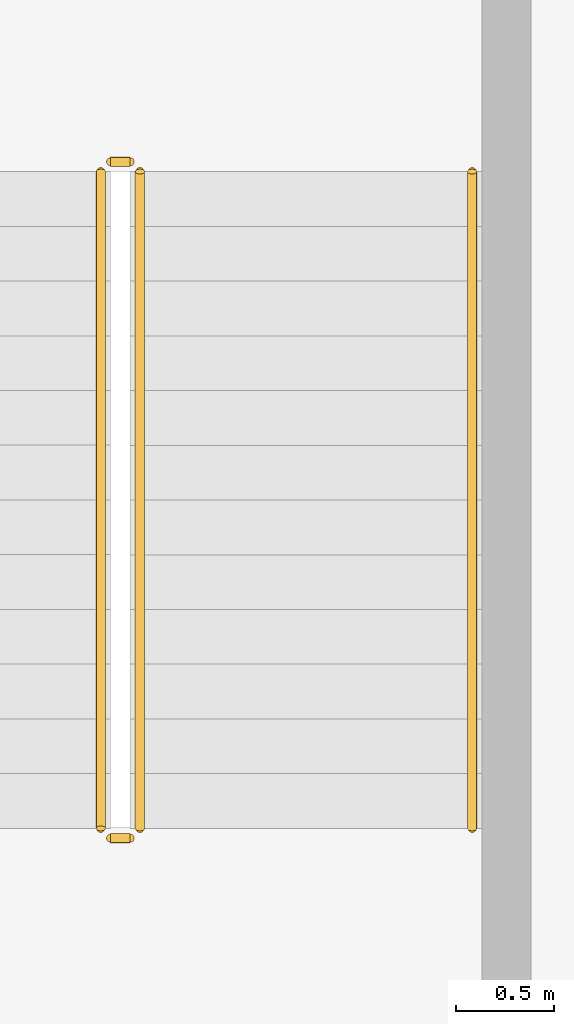
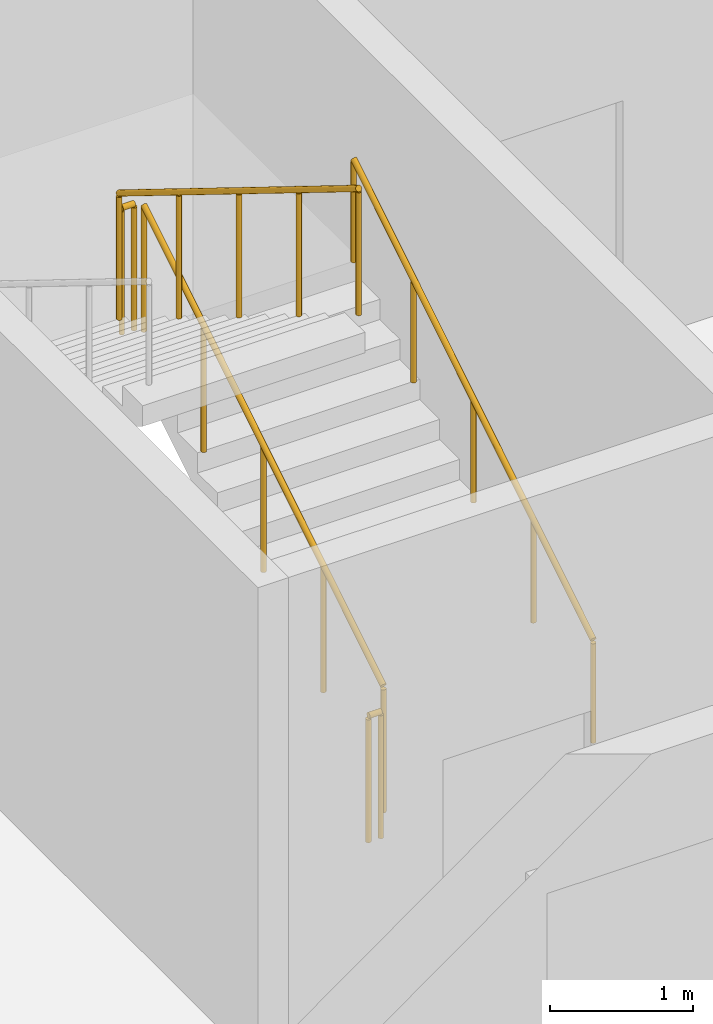
# One storey, part 31 of 35: 5 railings.
"""IFC4 building model written with IfcOpenShell, lengths in metres."""

from ifc_helpers import new_model, si_unit, direction, frame, origin, origin_2d, place, context, subcontext, project, spatial, circle, extrude, material, type_object, element, save


model = new_model("IFC4")

# Units and contexts
model_context = context("Model", 3, precision=1e-05, world=origin(), true_north=direction((0.0, 1.0)))
body_context = subcontext(model_context, "Body", "Model", "MODEL_VIEW")
ifc_project = project(units=[si_unit("LENGTHUNIT", "METRE"), si_unit("AREAUNIT", "SQUARE_METRE"), si_unit("VOLUMEUNIT", "CUBIC_METRE"), si_unit("PLANEANGLEUNIT", "RADIAN"), si_unit("MASSUNIT", "GRAM", prefix="KILO")], contexts=[model_context])

# Site, building, storey
site_placement = place(None, origin())
site = spatial("IfcSite", under=ifc_project, at=site_placement, CompositionType="ELEMENT")
building_placement = place(site_placement, origin())
building = spatial("IfcBuilding", under=site, at=building_placement, Name="Kilnfold Tower and Market Hall", CompositionType="ELEMENT")
storey_placement = place(building_placement, frame((0.0, 0.0, 13.5)))
storey = spatial("IfcBuildingStorey", under=building, at=storey_placement, Name="L02", CompositionType="ELEMENT", Elevation=13.5)

# Railings
ifc_material_1 = material(Name="Steel S355", Category="steel")
railing_type_1 = type_object("IfcRailingType", Name="HALL STAIR GUARD 1100", PredefinedType="GUARDRAIL", material=ifc_material_1)
railing_1_placement = place(storey_placement, frame((-48.550048828125, 46.699951171875, 0.173095703125)))
element("IfcRailing", 1, at=railing_1_placement, inside=storey, type_object=railing_type_1, Name="L02 MS3 stair guard 1", PredefinedType="GUARDRAIL", context=body_context, shape_type="SweptSolid", body=[
    extrude(circle(Radius=0.02392578125, at=origin_2d()), frame((0.0, 0.0, 1.076171875), z_axis=(0.0, 0.850623216509, 0.525775754039), x_axis=(-1.0, 0.0, 0.0)), (0.0, 0.0, 1.0), 3.9501953125),
    extrude(circle(Radius=0.02099609375, at=origin_2d()), origin(), (0.0, 0.0, 1.0), 1.052001953125),
    extrude(circle(Radius=0.02099609375, at=origin_2d()), frame((0.0, 0.840087890625, 0.519287109375)), (0.0, 0.0, 1.0), 1.052001953125),
    extrude(circle(Radius=0.02099609375, at=origin_2d()), frame((0.0, 1.68017578125, 1.03857421875)), (0.0, 0.0, 1.0), 1.052001953125),
    extrude(circle(Radius=0.02099609375, at=origin_2d()), frame((0.0, 2.52001953125, 1.5576171875)), (0.0, 0.0, 1.0), 1.052001953125),
    extrude(circle(Radius=0.02099609375, at=origin_2d()), frame((0.0, 3.360107421875, 2.076904296875)), (0.0, 0.0, 1.0), 1.052001953125),
])
railing_2_placement = place(storey_placement, frame((-48.60009765625, 50.110107421875, 2.25)))
element("IfcRailing", 2, at=railing_2_placement, inside=storey, type_object=railing_type_1, Name="L02 MS3 stair guard 2", PredefinedType="GUARDRAIL", context=body_context, shape_type="SweptSolid", body=[
    extrude(circle(Radius=0.02392578125, at=origin_2d()), frame((0.0, 0.0, 1.076171875), z_axis=(-1.0, 0.0, 0.0), x_axis=(0.0, -1.0, 0.0)), (0.0, 0.0, 1.0), 0.099853515625),
    extrude(circle(Radius=0.02099609375, at=origin_2d()), origin(), (0.0, 0.0, 1.0), 1.052001953125),
    extrude(circle(Radius=0.02099609375, at=origin_2d()), frame((-0.099853515625, 0.0, 0.0)), (0.0, 0.0, 1.0), 1.052001953125),
])
railing_3_placement = place(storey_placement, frame((-48.75, 50.06005859375, 2.423095703125)))
element("IfcRailing", 3, at=railing_3_placement, inside=storey, type_object=railing_type_1, Name="L02 MS3 stair guard 3", PredefinedType="GUARDRAIL", context=body_context, shape_type="SweptSolid", body=[
    extrude(circle(Radius=0.02392578125, at=origin_2d()), frame((0.0, 0.0, 1.076171875), z_axis=(0.0, -0.850623216509, 0.525775754039), x_axis=(1.0, 0.0, 0.0)), (0.0, 0.0, 1.0), 3.9501953125),
    extrude(circle(Radius=0.02099609375, at=origin_2d()), origin(), (0.0, 0.0, 1.0), 1.052001953125),
    extrude(circle(Radius=0.02099609375, at=origin_2d()), frame((0.0, -0.840087890625, 0.519287109375)), (0.0, 0.0, 1.0), 1.052001953125),
    extrude(circle(Radius=0.02099609375, at=origin_2d()), frame((0.0, -1.68017578125, 1.03857421875)), (0.0, 0.0, 1.0), 1.052001953125),
    extrude(circle(Radius=0.02099609375, at=origin_2d()), frame((0.0, -2.52001953125, 1.5576171875)), (0.0, 0.0, 1.0), 1.052001953125),
    extrude(circle(Radius=0.02099609375, at=origin_2d()), frame((0.0, -3.360107421875, 2.076904296875)), (0.0, 0.0, 1.0), 1.052001953125),
])
railing_4_placement = place(storey_placement, frame((-48.60009765625, 46.64990234375, 0.0)))
element("IfcRailing", 4, at=railing_4_placement, inside=storey, type_object=railing_type_1, Name="L02 MS3 stair guard 4", PredefinedType="GUARDRAIL", context=body_context, shape_type="SweptSolid", body=[
    extrude(circle(Radius=0.02392578125, at=origin_2d()), frame((0.0, 0.0, 1.076171875), z_axis=(-1.0, 0.0, 0.0), x_axis=(0.0, -1.0, 0.0)), (0.0, 0.0, 1.0), 0.099853515625),
    extrude(circle(Radius=0.02099609375, at=origin_2d()), origin(), (0.0, 0.0, 1.0), 1.052001953125),
    extrude(circle(Radius=0.02099609375, at=origin_2d()), frame((-0.099853515625, 0.0, 0.0)), (0.0, 0.0, 1.0), 1.052001953125),
])
ifc_material_2 = material(Name="Steel S355", Category="steel")
railing_type_2 = type_object("IfcRailingType", Name="HALL STAIR HANDRAIL", PredefinedType="HANDRAIL", material=ifc_material_2)
railing_5_placement = place(storey_placement, frame((-46.85009765625, 46.699951171875, 0.173095703125)))
element("IfcRailing", 5, at=railing_5_placement, inside=storey, type_object=railing_type_2, Name="L02 MS3 stair handrail 1", PredefinedType="HANDRAIL", context=body_context, shape_type="SweptSolid", body=[
    extrude(circle(Radius=0.02392578125, at=origin_2d()), frame((0.0, 0.0, 0.8759765625), z_axis=(0.0, 0.850623216509, 0.525775754039), x_axis=(-1.0, 0.0, 0.0)), (0.0, 0.0, 1.0), 3.9501953125),
    extrude(circle(Radius=0.02099609375, at=origin_2d()), origin(), (0.0, 0.0, 1.0), 0.851806640625),
    extrude(circle(Radius=0.02099609375, at=origin_2d()), frame((0.0, 0.840087890625, 0.519287109375)), (0.0, 0.0, 1.0), 0.851806640625),
    extrude(circle(Radius=0.02099609375, at=origin_2d()), frame((0.0, 1.68017578125, 1.03857421875)), (0.0, 0.0, 1.0), 0.851806640625),
    extrude(circle(Radius=0.02099609375, at=origin_2d()), frame((0.0, 2.52001953125, 1.5576171875)), (0.0, 0.0, 1.0), 0.851806640625),
    extrude(circle(Radius=0.02099609375, at=origin_2d()), frame((0.0, 3.360107421875, 2.076904296875)), (0.0, 0.0, 1.0), 0.851806640625),
])

save(model, "model.ifc")
